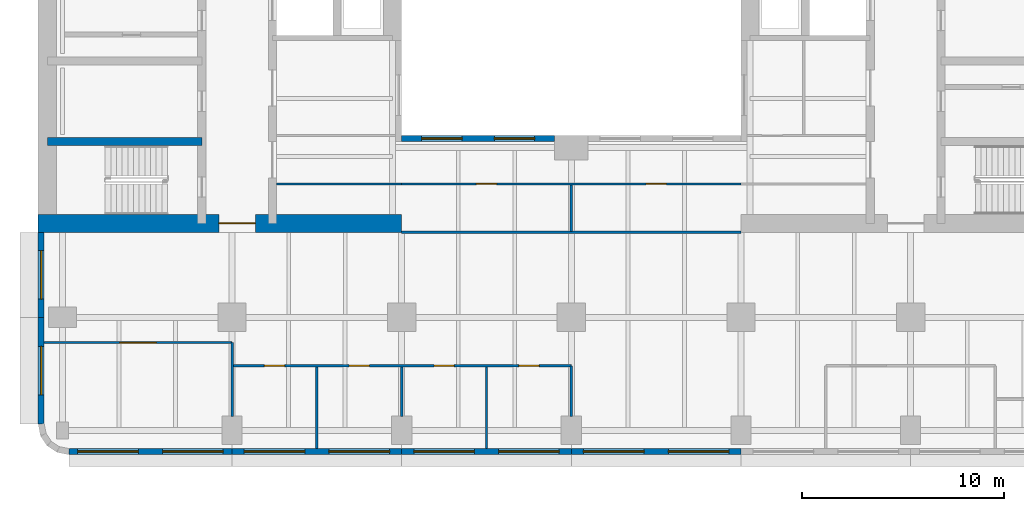
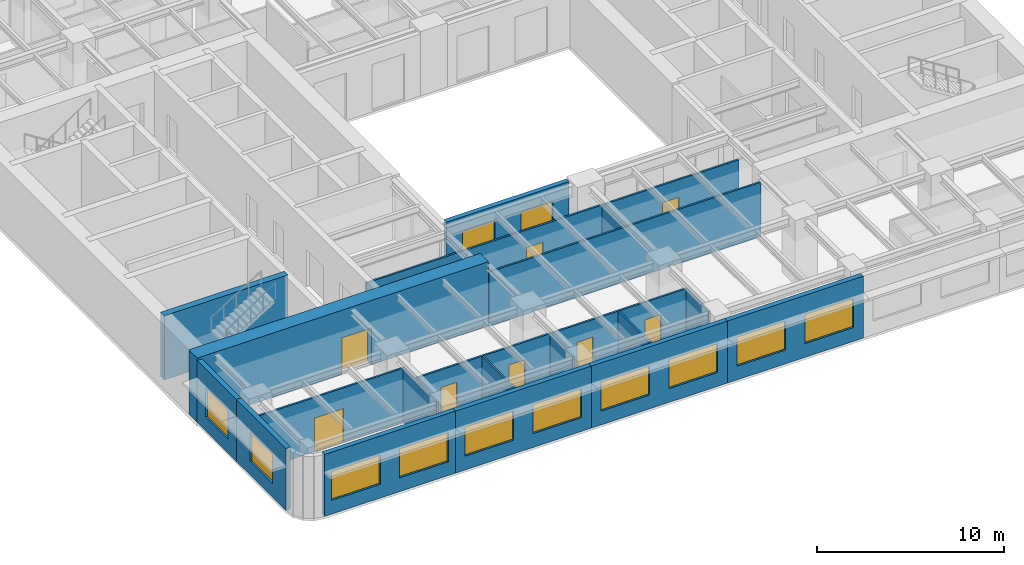
# One storey, part 3 of 11: 20 walls, 12 windows, 8 doors, 20 openings.
"""IFC4 building model written with IfcOpenShell, lengths in metres."""

from ifc_helpers import new_model, si_unit, direction, frame, frame_2d, origin, place, context, subcontext, project, spatial, rectangle, extrude, material, layer, layer_set, type_object, element, fill, save


model = new_model("IFC4")

# Units and contexts
model_context = context("Model", 3, precision=1e-05, world=origin(), true_north=direction((0.0, 1.0)))
body_context = subcontext(model_context, "Body", "Model", "MODEL_VIEW")
ifc_project = project(units=[si_unit("LENGTHUNIT", "METRE"), si_unit("AREAUNIT", "SQUARE_METRE"), si_unit("VOLUMEUNIT", "CUBIC_METRE"), si_unit("PLANEANGLEUNIT", "RADIAN"), si_unit("MASSUNIT", "GRAM", prefix="KILO")], contexts=[model_context])

# Site, building, storey
site_placement = place(None, origin())
site = spatial("IfcSite", under=ifc_project, at=site_placement, CompositionType="ELEMENT")
building_placement = place(site_placement, origin())
building = spatial("IfcBuilding", under=site, at=building_placement, Name="Claustro Exchange Tower", CompositionType="ELEMENT")
storey_placement = place(building_placement, frame((0.0, 0.0, 113.39990234375)))
storey = spatial("IfcBuildingStorey", under=building, at=storey_placement, Name="L25", CompositionType="ELEMENT", Elevation=113.39990234375)

# Wall, opening, door
ifc_material_1 = material(Name="Laminated glass in aluminium frame", Category="aluminium")
ifc_layer_1 = layer(ifc_material_1, 0.1201171875)
ifc_layer_set_1 = layer_set([ifc_layer_1], Name="Laminated glass in aluminium frame")
wall_type_1 = type_object("IfcWallType", Name="P2 120 glazed partition", PredefinedType="PARTITIONING", material=ifc_layer_set_1)
wall_1_placement = place(storey_placement, frame((-0.902099609375, 7.14990234375, 0.0), z_axis=(0.0, 0.0, 1.0), x_axis=(1.0, 0.0, 0.0)))
wall_1 = element("IfcWall", 1, at=wall_1_placement, inside=storey, type_object=wall_type_1, Name="Partition P2 L25", PredefinedType="PARTITIONING", context=body_context, shape_type="SweptSolid", body=[
    extrude(rectangle(XDim=9.302001953125, YDim=0.1201171875, at=frame_2d((4.65087890625, 0.0))), origin(), (0.0, 0.0, 1.0), 3.550048828125),
])
opening_1_placement = place(wall_1_placement, frame((3.751953125, 0.0, 0.0)))
opening_1 = element("IfcOpeningElement", 2, at=opening_1_placement, cuts=wall_1, Name="Opening D2", PredefinedType="OPENING", context=body_context, shape_type="SweptSolid", body=[
    extrude(rectangle(XDim=1.800048828125, YDim=2.199951171875, at=frame_2d((0.89990234375, 1.10009765625))), frame((0.0, 0.070068359375, 0.0), z_axis=(0.0, -1.0, 0.0), x_axis=(1.0, 0.0, 0.0)), (0.0, 0.0, 1.0), 0.14013671875),
])
ifc_material_2 = material(Name="Timber door, oak veneer", Category="wood")
door_type_1 = type_object("IfcDoorType", Name="D2 1800 x 2200 double door", OperationType="DOUBLE_DOOR_SINGLE_SWING", PredefinedType="DOOR", material=ifc_material_2)
door_1_placement = place(opening_1_placement, frame((1.800048828125, 0.0, 0.0), z_axis=(0.0, 0.0, 1.0), x_axis=(-1.0, 0.0, 0.0)))
door_1 = element("IfcDoor", 3, at=door_1_placement, inside=storey, type_object=door_type_1, Name="Double door D2 L25", OperationType="DOUBLE_DOOR_SINGLE_SWING", OverallHeight=2.199951171875, OverallWidth=1.800048828125, PredefinedType="DOOR", context=body_context, shape_type="SweptSolid", body=[
    extrude(rectangle(XDim=1.800048828125, YDim=2.199951171875, at=frame_2d((0.89990234375, 1.10009765625))), frame((0.0, 0.02490234375, 0.0), z_axis=(0.0, -1.0, 0.0), x_axis=(1.0, 0.0, 0.0)), (0.0, 0.0, 1.0), 0.050048828125),
])
fill(opening_1, door_1)

# Wall, openings, doors
wall_2_placement = place(storey_placement, frame((8.4580078125, 6.0, 0.0), z_axis=(0.0, 0.0, 1.0), x_axis=(1.0, 0.0, 0.0)))
wall_2 = element("IfcWall", 4, at=wall_2_placement, inside=storey, type_object=wall_type_1, Name="Partition P2 L25", PredefinedType="PARTITIONING", context=body_context, shape_type="SweptSolid", body=[
    extrude(rectangle(XDim=16.741943359375, YDim=0.1201171875, at=frame_2d((8.37109375, 0.0))), origin(), (0.0, 0.0, 1.0), 3.550048828125),
])
opening_2_placement = place(wall_2_placement, frame((1.5419921875, 0.0, 0.0)))
opening_2 = element("IfcOpeningElement", 5, at=opening_2_placement, cuts=wall_2, Name="Opening D7", PredefinedType="OPENING", context=body_context, shape_type="SweptSolid", body=[
    extrude(rectangle(XDim=1.0, YDim=2.39990234375, at=frame_2d((0.5, 1.199951171875))), frame((0.0, 0.070068359375, 0.0), z_axis=(0.0, -1.0, 0.0), x_axis=(1.0, 0.0, 0.0)), (0.0, 0.0, 1.0), 0.14013671875),
])
opening_3_placement = place(wall_2_placement, frame((5.741943359375, 0.0, 0.0)))
opening_3 = element("IfcOpeningElement", 6, at=opening_3_placement, cuts=wall_2, Name="Opening D7", PredefinedType="OPENING", context=body_context, shape_type="SweptSolid", body=[
    extrude(rectangle(XDim=1.0, YDim=2.39990234375, at=frame_2d((0.5, 1.199951171875))), frame((0.0, 0.070068359375, 0.0), z_axis=(0.0, -1.0, 0.0), x_axis=(1.0, 0.0, 0.0)), (0.0, 0.0, 1.0), 0.14013671875),
])
opening_4_placement = place(wall_2_placement, frame((9.94189453125, 0.0, 0.0)))
opening_4 = element("IfcOpeningElement", 7, at=opening_4_placement, cuts=wall_2, Name="Opening D7", PredefinedType="OPENING", context=body_context, shape_type="SweptSolid", body=[
    extrude(rectangle(XDim=1.0, YDim=2.39990234375, at=frame_2d((0.5, 1.199951171875))), frame((0.0, 0.070068359375, 0.0), z_axis=(0.0, -1.0, 0.0), x_axis=(1.0, 0.0, 0.0)), (0.0, 0.0, 1.0), 0.14013671875),
])
opening_5_placement = place(wall_2_placement, frame((14.14208984375, 0.0, 0.0)))
opening_5 = element("IfcOpeningElement", 8, at=opening_5_placement, cuts=wall_2, Name="Opening D7", PredefinedType="OPENING", context=body_context, shape_type="SweptSolid", body=[
    extrude(rectangle(XDim=1.0, YDim=2.39990234375, at=frame_2d((0.5, 1.199951171875))), frame((0.0, 0.070068359375, 0.0), z_axis=(0.0, -1.0, 0.0), x_axis=(1.0, 0.0, 0.0)), (0.0, 0.0, 1.0), 0.14013671875),
])
ifc_material_3 = material(Name="Glass door in aluminium frame", Category="aluminium")
door_type_2 = type_object("IfcDoorType", Name="D7 1000 x 2400 glazed door", OperationType="SINGLE_SWING_LEFT", PredefinedType="DOOR", material=ifc_material_3)
door_2_placement = place(opening_2_placement, frame((1.0, 0.0, 0.0), z_axis=(0.0, 0.0, 1.0), x_axis=(-1.0, 0.0, 0.0)))
door_2 = element("IfcDoor", 9, at=door_2_placement, inside=storey, type_object=door_type_2, Name="Door D7 L25", OperationType="SINGLE_SWING_LEFT", OverallHeight=2.39990234375, OverallWidth=1.0, PredefinedType="DOOR", context=body_context, shape_type="SweptSolid", body=[
    extrude(rectangle(XDim=1.0, YDim=2.39990234375, at=frame_2d((0.5, 1.199951171875))), frame((0.0, 0.02490234375, 0.0), z_axis=(0.0, -1.0, 0.0), x_axis=(1.0, 0.0, 0.0)), (0.0, 0.0, 1.0), 0.050048828125),
])
fill(opening_2, door_2)
door_3_placement = place(opening_3_placement, frame((1.0, 0.0, 0.0), z_axis=(0.0, 0.0, 1.0), x_axis=(-1.0, 0.0, 0.0)))
door_3 = element("IfcDoor", 10, at=door_3_placement, inside=storey, type_object=door_type_2, Name="Door D7 L25", OperationType="SINGLE_SWING_RIGHT", OverallHeight=2.39990234375, OverallWidth=1.0, PredefinedType="DOOR", context=body_context, shape_type="SweptSolid", body=[
    extrude(rectangle(XDim=1.0, YDim=2.39990234375, at=frame_2d((0.5, 1.199951171875))), frame((0.0, 0.02490234375, 0.0), z_axis=(0.0, -1.0, 0.0), x_axis=(1.0, 0.0, 0.0)), (0.0, 0.0, 1.0), 0.050048828125),
])
fill(opening_3, door_3)
door_4_placement = place(opening_4_placement, frame((1.0, 0.0, 0.0), z_axis=(0.0, 0.0, 1.0), x_axis=(-1.0, 0.0, 0.0)))
door_4 = element("IfcDoor", 11, at=door_4_placement, inside=storey, type_object=door_type_2, Name="Door D7 L25", OperationType="SINGLE_SWING_RIGHT", OverallHeight=2.39990234375, OverallWidth=1.0, PredefinedType="DOOR", context=body_context, shape_type="SweptSolid", body=[
    extrude(rectangle(XDim=1.0, YDim=2.39990234375, at=frame_2d((0.5, 1.199951171875))), frame((0.0, 0.02490234375, 0.0), z_axis=(0.0, -1.0, 0.0), x_axis=(1.0, 0.0, 0.0)), (0.0, 0.0, 1.0), 0.050048828125),
])
fill(opening_4, door_4)
door_5_placement = place(opening_5_placement, frame((1.0, 0.0, 0.0), z_axis=(0.0, 0.0, 1.0), x_axis=(-1.0, 0.0, 0.0)))
door_5 = element("IfcDoor", 12, at=door_5_placement, inside=storey, type_object=door_type_2, Name="Door D7 L25", OperationType="SINGLE_SWING_LEFT", OverallHeight=2.39990234375, OverallWidth=1.0, PredefinedType="DOOR", context=body_context, shape_type="SweptSolid", body=[
    extrude(rectangle(XDim=1.0, YDim=2.39990234375, at=frame_2d((0.5, 1.199951171875))), frame((0.0, 0.02490234375, 0.0), z_axis=(0.0, -1.0, 0.0), x_axis=(1.0, 0.0, 0.0)), (0.0, 0.0, 1.0), 0.050048828125),
])
fill(opening_5, door_5)

# Walls
wall_3_placement = place(storey_placement, frame((8.39990234375, 3.4990234375, 0.0), z_axis=(0.0, 0.0, 1.0), x_axis=(0.0, 1.0, 0.0)))
element("IfcWall", 13, at=wall_3_placement, inside=storey, type_object=wall_type_1, Name="Partition P2 L25", PredefinedType="PARTITIONING", context=body_context, shape_type="SweptSolid", body=[
    extrude(rectangle(XDim=3.65087890625, YDim=0.1201171875, at=frame_2d((1.825439453125, 0.0))), origin(), (0.0, 0.0, 1.0), 3.550048828125),
])
wall_4_placement = place(storey_placement, frame((12.60009765625, 1.89794921875, 0.0), z_axis=(0.0, 0.0, 1.0), x_axis=(0.0, 1.0, 0.0)))
element("IfcWall", 14, at=wall_4_placement, inside=storey, type_object=wall_type_1, Name="Partition P2 L25", PredefinedType="PARTITIONING", context=body_context, shape_type="SweptSolid", body=[
    extrude(rectangle(XDim=4.0439453125, YDim=0.1201171875, at=frame_2d((2.02197265625, 0.0))), origin(), (0.0, 0.0, 1.0), 3.56005859375),
])
wall_5_placement = place(storey_placement, frame((16.800048828125, 3.4990234375, 0.0), z_axis=(0.0, 0.0, 1.0), x_axis=(0.0, 1.0, 0.0)))
element("IfcWall", 15, at=wall_5_placement, inside=storey, type_object=wall_type_1, Name="Partition P2 L25", PredefinedType="PARTITIONING", context=body_context, shape_type="SweptSolid", body=[
    extrude(rectangle(XDim=2.44287109375, YDim=0.1201171875, at=frame_2d((1.221435546875, 0.0))), origin(), (0.0, 0.0, 1.0), 3.550048828125),
])
wall_6_placement = place(storey_placement, frame((21.0, 1.89794921875, 0.0), z_axis=(0.0, 0.0, 1.0), x_axis=(0.0, 1.0, 0.0)))
element("IfcWall", 16, at=wall_6_placement, inside=storey, type_object=wall_type_1, Name="Partition P2 L25", PredefinedType="PARTITIONING", context=body_context, shape_type="SweptSolid", body=[
    extrude(rectangle(XDim=4.0439453125, YDim=0.1201171875, at=frame_2d((2.02197265625, 0.0))), origin(), (0.0, 0.0, 1.0), 3.56005859375),
])
wall_7_placement = place(storey_placement, frame((25.199951171875, 3.4990234375, 0.0), z_axis=(0.0, 0.0, 1.0), x_axis=(0.0, 1.0, 0.0)))
element("IfcWall", 17, at=wall_7_placement, inside=storey, type_object=wall_type_1, Name="Partition P2 L25", PredefinedType="PARTITIONING", context=body_context, shape_type="SweptSolid", body=[
    extrude(rectangle(XDim=2.5009765625, YDim=0.1201171875, at=frame_2d((1.25048828125, 0.0))), origin(), (0.0, 0.0, 1.0), 3.550048828125),
])
wall_8_placement = place(storey_placement, frame((10.597900390625, 15.0, 0.0), z_axis=(0.0, 0.0, 1.0), x_axis=(1.0, 0.0, 0.0)))
element("IfcWall", 18, at=wall_8_placement, inside=storey, type_object=wall_type_1, Name="Partition P2 L25", PredefinedType="PARTITIONING", context=body_context, shape_type="SweptSolid", body=[
    extrude(rectangle(XDim=6.2041015625, YDim=0.1201171875, at=frame_2d((3.10205078125, 0.0))), origin(), (0.0, 0.0, 1.0), 3.550048828125),
])
wall_9_placement = place(storey_placement, frame((25.199951171875, 12.657958984375, 0.0), z_axis=(0.0, 0.0, 1.0), x_axis=(0.0, 1.0, 0.0)))
element("IfcWall", 19, at=wall_9_placement, inside=storey, type_object=wall_type_1, Name="Partition P2 L25", PredefinedType="PARTITIONING", context=body_context, shape_type="SweptSolid", body=[
    extrude(rectangle(XDim=2.283935546875, YDim=0.1201171875, at=frame_2d((1.14208984375, 0.0))), origin(), (0.0, 0.0, 1.0), 3.550048828125),
])

# Wall, openings, doors
wall_10_placement = place(storey_placement, frame((16.798095703125, 15.0, 0.0), z_axis=(0.0, 0.0, 1.0), x_axis=(1.0, 0.0, 0.0)))
wall_10 = element("IfcWall", 20, at=wall_10_placement, inside=storey, type_object=wall_type_1, Name="Partition P2 L25", PredefinedType="PARTITIONING", context=body_context, shape_type="SweptSolid", body=[
    extrude(rectangle(XDim=16.803955078125, YDim=0.1201171875, at=frame_2d((8.40185546875, 0.0))), origin(), (0.0, 0.0, 1.0), 3.550048828125),
])
opening_6_placement = place(wall_10_placement, frame((3.701904296875, 0.0, 0.0)))
opening_6 = element("IfcOpeningElement", 21, at=opening_6_placement, cuts=wall_10, Name="Opening D7", PredefinedType="OPENING", context=body_context, shape_type="SweptSolid", body=[
    extrude(rectangle(XDim=1.0, YDim=2.39990234375, at=frame_2d((0.5, 1.199951171875))), frame((0.0, 0.070068359375, 0.0), z_axis=(0.0, -1.0, 0.0), x_axis=(1.0, 0.0, 0.0)), (0.0, 0.0, 1.0), 0.14013671875),
])
opening_7_placement = place(wall_10_placement, frame((12.10205078125, 0.0, 0.0)))
opening_7 = element("IfcOpeningElement", 22, at=opening_7_placement, cuts=wall_10, Name="Opening D7", PredefinedType="OPENING", context=body_context, shape_type="SweptSolid", body=[
    extrude(rectangle(XDim=1.0, YDim=2.39990234375, at=frame_2d((0.5, 1.199951171875))), frame((0.0, 0.070068359375, 0.0), z_axis=(0.0, -1.0, 0.0), x_axis=(1.0, 0.0, 0.0)), (0.0, 0.0, 1.0), 0.14013671875),
])
door_6_placement = place(opening_6_placement, frame((1.0, 0.0, 0.0), z_axis=(0.0, 0.0, 1.0), x_axis=(-1.0, 0.0, 0.0)))
door_6 = element("IfcDoor", 23, at=door_6_placement, inside=storey, type_object=door_type_2, Name="Door D7 L25", OperationType="SINGLE_SWING_RIGHT", OverallHeight=2.39990234375, OverallWidth=1.0, PredefinedType="DOOR", context=body_context, shape_type="SweptSolid", body=[
    extrude(rectangle(XDim=1.0, YDim=2.39990234375, at=frame_2d((0.5, 1.199951171875))), frame((0.0, 0.02490234375, 0.0), z_axis=(0.0, -1.0, 0.0), x_axis=(1.0, 0.0, 0.0)), (0.0, 0.0, 1.0), 0.050048828125),
])
fill(opening_6, door_6)
door_7_placement = place(opening_7_placement, frame((1.0, 0.0, 0.0), z_axis=(0.0, 0.0, 1.0), x_axis=(-1.0, 0.0, 0.0)))
door_7 = element("IfcDoor", 24, at=door_7_placement, inside=storey, type_object=door_type_2, Name="Door D7 L25", OperationType="SINGLE_SWING_RIGHT", OverallHeight=2.39990234375, OverallWidth=1.0, PredefinedType="DOOR", context=body_context, shape_type="SweptSolid", body=[
    extrude(rectangle(XDim=1.0, YDim=2.39990234375, at=frame_2d((0.5, 1.199951171875))), frame((0.0, 0.02490234375, 0.0), z_axis=(0.0, -1.0, 0.0), x_axis=(1.0, 0.0, 0.0)), (0.0, 0.0, 1.0), 0.050048828125),
])
fill(opening_7, door_7)

# Wall
wall_11_placement = place(storey_placement, frame((16.800048828125, 12.60009765625, 0.0), z_axis=(0.0, 0.0, 1.0), x_axis=(1.0, 0.0, 0.0)))
element("IfcWall", 25, at=wall_11_placement, inside=storey, type_object=wall_type_1, Name="Partition P2 L25", PredefinedType="PARTITIONING", context=body_context, shape_type="SweptSolid", body=[
    extrude(rectangle(XDim=16.800048828125, YDim=0.1201171875, at=frame_2d((8.39990234375, 0.0))), origin(), (0.0, 0.0, 1.0), 3.550048828125),
])

# Wall, openings, windows
ifc_material_4 = material(Name="Concrete HA-40 (C40/50), precast, white cement, acid-etched", Category="concrete")
ifc_layer_2 = layer(ifc_material_4, 0.300048828125)
ifc_layer_set_2 = layer_set([ifc_layer_2], Name="Concrete HA-40 (C40/50), precast, white cement, acid-etched")
wall_type_2 = type_object("IfcWallType", Name="PC1 300 precast concrete pier panel", PredefinedType="SOLIDWALL", material=ifc_layer_set_2)
wall_12_placement = place(storey_placement, frame((33.60009765625, 1.75, 0.0), z_axis=(0.0, 0.0, 1.0), x_axis=(-1.0, 0.0, 0.0)))
wall_12 = element("IfcWall", 26, at=wall_12_placement, inside=storey, type_object=wall_type_2, Name="Precast pier panel PC1 L25", PredefinedType="SOLIDWALL", context=body_context, shape_type="SweptSolid", body=[
    extrude(rectangle(XDim=8.400146484375, YDim=0.300048828125, at=frame_2d((4.2001953125, 0.0))), origin(), (0.0, 0.0, 1.0), 4.050048828125),
])
opening_8_placement = place(wall_12_placement, frame((0.60009765625, 0.0, 0.89990234375)))
opening_8 = element("IfcOpeningElement", 27, at=opening_8_placement, cuts=wall_12, Name="Opening W1", PredefinedType="OPENING", context=body_context, shape_type="SweptSolid", body=[
    extrude(rectangle(XDim=3.0, YDim=1.89990234375, at=frame_2d((1.5, 0.949951171875))), frame((0.0, 0.159912109375, 0.0), z_axis=(0.0, -1.0, 0.0), x_axis=(1.0, 0.0, 0.0)), (0.0, 0.0, 1.0), 0.320068359375),
])
opening_9_placement = place(wall_12_placement, frame((4.800048828125, 0.0, 0.89990234375)))
opening_9 = element("IfcOpeningElement", 28, at=opening_9_placement, cuts=wall_12, Name="Opening W1", PredefinedType="OPENING", context=body_context, shape_type="SweptSolid", body=[
    extrude(rectangle(XDim=3.0, YDim=1.89990234375, at=frame_2d((1.5, 0.949951171875))), frame((0.0, 0.159912109375, 0.0), z_axis=(0.0, -1.0, 0.0), x_axis=(1.0, 0.0, 0.0)), (0.0, 0.0, 1.0), 0.320068359375),
])
ifc_material_5 = material(Name="Aluminium frame, clear double glazing", Category="aluminium")
window_type_1 = type_object("IfcWindowType", Name="W1 3000 x 1900 window", PartitioningType="SINGLE_PANEL", PredefinedType="WINDOW", material=ifc_material_5)
window_1_placement = place(opening_8_placement, origin())
window_1 = element("IfcWindow", 29, at=window_1_placement, inside=storey, type_object=window_type_1, Name="Window W1 L25", OverallHeight=1.89990234375, OverallWidth=3.0, PartitioningType="SINGLE_PANEL", PredefinedType="WINDOW", context=body_context, shape_type="SweptSolid", body=[
    extrude(rectangle(XDim=3.0, YDim=1.89990234375, at=frame_2d((1.5, 0.949951171875))), frame((0.0, 0.030029296875, 0.0), z_axis=(0.0, -1.0, 0.0), x_axis=(1.0, 0.0, 0.0)), (0.0, 0.0, 1.0), 0.06005859375),
])
fill(opening_8, window_1)
window_2_placement = place(opening_9_placement, origin())
window_2 = element("IfcWindow", 30, at=window_2_placement, inside=storey, type_object=window_type_1, Name="Window W1 L25", OverallHeight=1.89990234375, OverallWidth=3.0, PartitioningType="SINGLE_PANEL", PredefinedType="WINDOW", context=body_context, shape_type="SweptSolid", body=[
    extrude(rectangle(XDim=3.0, YDim=1.89990234375, at=frame_2d((1.5, 0.949951171875))), frame((0.0, 0.030029296875, 0.0), z_axis=(0.0, -1.0, 0.0), x_axis=(1.0, 0.0, 0.0)), (0.0, 0.0, 1.0), 0.06005859375),
])
fill(opening_9, window_2)

wall_13_placement = place(storey_placement, frame((25.199951171875, 1.75, 0.0), z_axis=(0.0, 0.0, 1.0), x_axis=(-1.0, 0.0, 0.0)))
wall_13 = element("IfcWall", 31, at=wall_13_placement, inside=storey, type_object=wall_type_2, Name="Precast pier panel PC1 L25", PredefinedType="SOLIDWALL", context=body_context, shape_type="SweptSolid", body=[
    extrude(rectangle(XDim=8.39990234375, YDim=0.300048828125, at=frame_2d((4.199951171875, 0.0))), origin(), (0.0, 0.0, 1.0), 4.050048828125),
])
opening_10_placement = place(wall_13_placement, frame((0.60009765625, 0.0, 0.89990234375)))
opening_10 = element("IfcOpeningElement", 32, at=opening_10_placement, cuts=wall_13, Name="Opening W1", PredefinedType="OPENING", context=body_context, shape_type="SweptSolid", body=[
    extrude(rectangle(XDim=3.0, YDim=1.89990234375, at=frame_2d((1.5, 0.949951171875))), frame((0.0, 0.159912109375, 0.0), z_axis=(0.0, -1.0, 0.0), x_axis=(1.0, 0.0, 0.0)), (0.0, 0.0, 1.0), 0.320068359375),
])
opening_11_placement = place(wall_13_placement, frame((4.800048828125, 0.0, 0.89990234375)))
opening_11 = element("IfcOpeningElement", 33, at=opening_11_placement, cuts=wall_13, Name="Opening W1", PredefinedType="OPENING", context=body_context, shape_type="SweptSolid", body=[
    extrude(rectangle(XDim=3.0, YDim=1.89990234375, at=frame_2d((1.5, 0.949951171875))), frame((0.0, 0.159912109375, 0.0), z_axis=(0.0, -1.0, 0.0), x_axis=(1.0, 0.0, 0.0)), (0.0, 0.0, 1.0), 0.320068359375),
])
window_3_placement = place(opening_10_placement, origin())
window_3 = element("IfcWindow", 34, at=window_3_placement, inside=storey, type_object=window_type_1, Name="Window W1 L25", OverallHeight=1.89990234375, OverallWidth=3.0, PartitioningType="SINGLE_PANEL", PredefinedType="WINDOW", context=body_context, shape_type="SweptSolid", body=[
    extrude(rectangle(XDim=3.0, YDim=1.89990234375, at=frame_2d((1.5, 0.949951171875))), frame((0.0, 0.030029296875, 0.0), z_axis=(0.0, -1.0, 0.0), x_axis=(1.0, 0.0, 0.0)), (0.0, 0.0, 1.0), 0.06005859375),
])
fill(opening_10, window_3)
window_4_placement = place(opening_11_placement, origin())
window_4 = element("IfcWindow", 35, at=window_4_placement, inside=storey, type_object=window_type_1, Name="Window W1 L25", OverallHeight=1.89990234375, OverallWidth=3.0, PartitioningType="SINGLE_PANEL", PredefinedType="WINDOW", context=body_context, shape_type="SweptSolid", body=[
    extrude(rectangle(XDim=3.0, YDim=1.89990234375, at=frame_2d((1.5, 0.949951171875))), frame((0.0, 0.030029296875, 0.0), z_axis=(0.0, -1.0, 0.0), x_axis=(1.0, 0.0, 0.0)), (0.0, 0.0, 1.0), 0.06005859375),
])
fill(opening_11, window_4)

wall_14_placement = place(storey_placement, frame((16.800048828125, 1.75, 0.0), z_axis=(0.0, 0.0, 1.0), x_axis=(-1.0, 0.0, 0.0)))
wall_14 = element("IfcWall", 36, at=wall_14_placement, inside=storey, type_object=wall_type_2, Name="Precast pier panel PC1 L25", PredefinedType="SOLIDWALL", context=body_context, shape_type="SweptSolid", body=[
    extrude(rectangle(XDim=8.400146484375, YDim=0.300048828125, at=frame_2d((4.2001953125, 0.0))), origin(), (0.0, 0.0, 1.0), 4.050048828125),
])
opening_12_placement = place(wall_14_placement, frame((0.60009765625, 0.0, 0.89990234375)))
opening_12 = element("IfcOpeningElement", 37, at=opening_12_placement, cuts=wall_14, Name="Opening W1", PredefinedType="OPENING", context=body_context, shape_type="SweptSolid", body=[
    extrude(rectangle(XDim=3.0, YDim=1.89990234375, at=frame_2d((1.5, 0.949951171875))), frame((0.0, 0.159912109375, 0.0), z_axis=(0.0, -1.0, 0.0), x_axis=(1.0, 0.0, 0.0)), (0.0, 0.0, 1.0), 0.320068359375),
])
opening_13_placement = place(wall_14_placement, frame((4.800048828125, 0.0, 0.89990234375)))
opening_13 = element("IfcOpeningElement", 38, at=opening_13_placement, cuts=wall_14, Name="Opening W1", PredefinedType="OPENING", context=body_context, shape_type="SweptSolid", body=[
    extrude(rectangle(XDim=3.0, YDim=1.89990234375, at=frame_2d((1.5, 0.949951171875))), frame((0.0, 0.159912109375, 0.0), z_axis=(0.0, -1.0, 0.0), x_axis=(1.0, 0.0, 0.0)), (0.0, 0.0, 1.0), 0.320068359375),
])
window_5_placement = place(opening_12_placement, origin())
window_5 = element("IfcWindow", 39, at=window_5_placement, inside=storey, type_object=window_type_1, Name="Window W1 L25", OverallHeight=1.89990234375, OverallWidth=3.0, PartitioningType="SINGLE_PANEL", PredefinedType="WINDOW", context=body_context, shape_type="SweptSolid", body=[
    extrude(rectangle(XDim=3.0, YDim=1.89990234375, at=frame_2d((1.5, 0.949951171875))), frame((0.0, 0.030029296875, 0.0), z_axis=(0.0, -1.0, 0.0), x_axis=(1.0, 0.0, 0.0)), (0.0, 0.0, 1.0), 0.06005859375),
])
fill(opening_12, window_5)
window_6_placement = place(opening_13_placement, origin())
window_6 = element("IfcWindow", 40, at=window_6_placement, inside=storey, type_object=window_type_1, Name="Window W1 L25", OverallHeight=1.89990234375, OverallWidth=3.0, PartitioningType="SINGLE_PANEL", PredefinedType="WINDOW", context=body_context, shape_type="SweptSolid", body=[
    extrude(rectangle(XDim=3.0, YDim=1.89990234375, at=frame_2d((1.5, 0.949951171875))), frame((0.0, 0.030029296875, 0.0), z_axis=(0.0, -1.0, 0.0), x_axis=(1.0, 0.0, 0.0)), (0.0, 0.0, 1.0), 0.06005859375),
])
fill(opening_13, window_6)

wall_15_placement = place(storey_placement, frame((8.39990234375, 1.75, 0.0), z_axis=(0.0, 0.0, 1.0), x_axis=(-1.0, 0.0, 0.0)))
wall_15 = element("IfcWall", 41, at=wall_15_placement, inside=storey, type_object=wall_type_2, Name="Precast pier panel PC1 L25", PredefinedType="SOLIDWALL", context=body_context, shape_type="SweptSolid", body=[
    extrude(rectangle(XDim=8.085205078125, YDim=0.300048828125, at=frame_2d((4.04248046875, 0.0))), origin(), (0.0, 0.0, 1.0), 4.050048828125),
])
opening_14_placement = place(wall_15_placement, frame((0.442626953125, 0.0, 0.89990234375)))
opening_14 = element("IfcOpeningElement", 42, at=opening_14_placement, cuts=wall_15, Name="Opening W1", PredefinedType="OPENING", context=body_context, shape_type="SweptSolid", body=[
    extrude(rectangle(XDim=3.0, YDim=1.89990234375, at=frame_2d((1.5, 0.949951171875))), frame((0.0, 0.159912109375, 0.0), z_axis=(0.0, -1.0, 0.0), x_axis=(1.0, 0.0, 0.0)), (0.0, 0.0, 1.0), 0.320068359375),
])
opening_15_placement = place(wall_15_placement, frame((4.642578125, 0.0, 0.89990234375)))
opening_15 = element("IfcOpeningElement", 43, at=opening_15_placement, cuts=wall_15, Name="Opening W1", PredefinedType="OPENING", context=body_context, shape_type="SweptSolid", body=[
    extrude(rectangle(XDim=3.0, YDim=1.89990234375, at=frame_2d((1.5, 0.949951171875))), frame((0.0, 0.159912109375, 0.0), z_axis=(0.0, -1.0, 0.0), x_axis=(1.0, 0.0, 0.0)), (0.0, 0.0, 1.0), 0.320068359375),
])
window_7_placement = place(opening_14_placement, origin())
window_7 = element("IfcWindow", 44, at=window_7_placement, inside=storey, type_object=window_type_1, Name="Window W1 L25", OverallHeight=1.89990234375, OverallWidth=3.0, PartitioningType="SINGLE_PANEL", PredefinedType="WINDOW", context=body_context, shape_type="SweptSolid", body=[
    extrude(rectangle(XDim=3.0, YDim=1.89990234375, at=frame_2d((1.5, 0.949951171875))), frame((0.0, 0.030029296875, 0.0), z_axis=(0.0, -1.0, 0.0), x_axis=(1.0, 0.0, 0.0)), (0.0, 0.0, 1.0), 0.06005859375),
])
fill(opening_14, window_7)
window_8_placement = place(opening_15_placement, origin())
window_8 = element("IfcWindow", 45, at=window_8_placement, inside=storey, type_object=window_type_1, Name="Window W1 L25", OverallHeight=1.89990234375, OverallWidth=3.0, PartitioningType="SINGLE_PANEL", PredefinedType="WINDOW", context=body_context, shape_type="SweptSolid", body=[
    extrude(rectangle(XDim=3.0, YDim=1.89990234375, at=frame_2d((1.5, 0.949951171875))), frame((0.0, 0.030029296875, 0.0), z_axis=(0.0, -1.0, 0.0), x_axis=(1.0, 0.0, 0.0)), (0.0, 0.0, 1.0), 0.06005859375),
])
fill(opening_15, window_8)

# Wall, opening, window
wall_16_placement = place(storey_placement, frame((-1.050048828125, 3.11474609375, 0.0), z_axis=(0.0, 0.0, 1.0), x_axis=(0.0, 1.0, 0.0)))
wall_16 = element("IfcWall", 46, at=wall_16_placement, inside=storey, type_object=wall_type_2, Name="Precast pier panel PC1 L25", PredefinedType="SOLIDWALL", context=body_context, shape_type="SweptSolid", body=[
    extrude(rectangle(XDim=5.28515625, YDim=0.300048828125, at=frame_2d((2.642578125, 0.0))), origin(), (0.0, 0.0, 1.0), 4.050048828125),
])
opening_16_placement = place(wall_16_placement, frame((1.442626953125, 0.0, 0.89990234375)))
opening_16 = element("IfcOpeningElement", 47, at=opening_16_placement, cuts=wall_16, Name="Opening W2", PredefinedType="OPENING", context=body_context, shape_type="SweptSolid", body=[
    extrude(rectangle(XDim=2.39990234375, YDim=1.89990234375, at=frame_2d((1.199951171875, 0.949951171875))), frame((0.0, 0.159912109375, 0.0), z_axis=(0.0, -1.0, 0.0), x_axis=(1.0, 0.0, 0.0)), (0.0, 0.0, 1.0), 0.320068359375),
])
ifc_material_6 = material(Name="Aluminium frame, clear double glazing", Category="aluminium")
window_type_2 = type_object("IfcWindowType", Name="W2 2400 x 1900 window", PartitioningType="SINGLE_PANEL", PredefinedType="WINDOW", material=ifc_material_6)
window_9_placement = place(opening_16_placement, origin())
window_9 = element("IfcWindow", 48, at=window_9_placement, inside=storey, type_object=window_type_2, Name="Window W2 L25", OverallHeight=1.89990234375, OverallWidth=2.39990234375, PartitioningType="SINGLE_PANEL", PredefinedType="WINDOW", context=body_context, shape_type="SweptSolid", body=[
    extrude(rectangle(XDim=2.39990234375, YDim=1.89990234375, at=frame_2d((1.199951171875, 0.949951171875))), frame((0.0, 0.030029296875, 0.0), z_axis=(0.0, -1.0, 0.0), x_axis=(1.0, 0.0, 0.0)), (0.0, 0.0, 1.0), 0.06005859375),
])
fill(opening_16, window_9)

wall_17_placement = place(storey_placement, frame((-1.050048828125, 8.39990234375, 0.0), z_axis=(0.0, 0.0, 1.0), x_axis=(0.0, 1.0, 0.0)))
wall_17 = element("IfcWall", 49, at=wall_17_placement, inside=storey, type_object=wall_type_2, Name="Precast pier panel PC1 L25", PredefinedType="SOLIDWALL", context=body_context, shape_type="SweptSolid", body=[
    extrude(rectangle(XDim=4.2001953125, YDim=0.300048828125, at=frame_2d((2.10009765625, 0.0))), origin(), (0.0, 0.0, 1.0), 4.050048828125),
])
opening_17_placement = place(wall_17_placement, frame((0.89990234375, 0.0, 0.89990234375)))
opening_17 = element("IfcOpeningElement", 50, at=opening_17_placement, cuts=wall_17, Name="Opening W2", PredefinedType="OPENING", context=body_context, shape_type="SweptSolid", body=[
    extrude(rectangle(XDim=2.39990234375, YDim=1.89990234375, at=frame_2d((1.199951171875, 0.949951171875))), frame((0.0, 0.159912109375, 0.0), z_axis=(0.0, -1.0, 0.0), x_axis=(1.0, 0.0, 0.0)), (0.0, 0.0, 1.0), 0.320068359375),
])
window_10_placement = place(opening_17_placement, origin())
window_10 = element("IfcWindow", 51, at=window_10_placement, inside=storey, type_object=window_type_2, Name="Window W2 L25", OverallHeight=1.89990234375, OverallWidth=2.39990234375, PartitioningType="SINGLE_PANEL", PredefinedType="WINDOW", context=body_context, shape_type="SweptSolid", body=[
    extrude(rectangle(XDim=2.39990234375, YDim=1.89990234375, at=frame_2d((1.199951171875, 0.949951171875))), frame((0.0, 0.030029296875, 0.0), z_axis=(0.0, -1.0, 0.0), x_axis=(1.0, 0.0, 0.0)), (0.0, 0.0, 1.0), 0.06005859375),
])
fill(opening_17, window_10)

# Wall, openings, windows
wall_18_placement = place(storey_placement, frame((16.800048828125, 17.25, 0.0), z_axis=(0.0, 0.0, 1.0), x_axis=(1.0, 0.0, 0.0)))
wall_18 = element("IfcWall", 52, at=wall_18_placement, inside=storey, type_object=wall_type_2, Name="Precast pier panel PC1 L25", PredefinedType="SOLIDWALL", context=body_context, shape_type="SweptSolid", body=[
    extrude(rectangle(XDim=7.574951171875, YDim=0.300048828125, at=frame_2d((3.78759765625, 0.0))), origin(), (0.0, 0.0, 1.0), 4.050048828125),
])
opening_18_placement = place(wall_18_placement, frame((0.987548828125, 0.0, 0.10009765625)))
opening_18 = element("IfcOpeningElement", 53, at=opening_18_placement, cuts=wall_18, Name="Opening W-A", PredefinedType="OPENING", context=body_context, shape_type="SweptSolid", body=[
    extrude(rectangle(XDim=2.0, YDim=3.0, at=frame_2d((1.0, 1.5))), frame((0.0, 0.159912109375, 0.0), z_axis=(0.0, -1.0, 0.0), x_axis=(1.0, 0.0, 0.0)), (0.0, 0.0, 1.0), 0.320068359375),
])
opening_19_placement = place(wall_18_placement, frame((4.58740234375, 0.0, 0.10009765625)))
opening_19 = element("IfcOpeningElement", 54, at=opening_19_placement, cuts=wall_18, Name="Opening W-A", PredefinedType="OPENING", context=body_context, shape_type="SweptSolid", body=[
    extrude(rectangle(XDim=2.0, YDim=3.0, at=frame_2d((1.0, 1.5))), frame((0.0, 0.159912109375, 0.0), z_axis=(0.0, -1.0, 0.0), x_axis=(1.0, 0.0, 0.0)), (0.0, 0.0, 1.0), 0.320068359375),
])
ifc_material_7 = material(Name="Aluminium frame, clear double glazing", Category="aluminium")
window_type_3 = type_object("IfcWindowType", Name="W-A 2000 x 3000 arcade window", PartitioningType="SINGLE_PANEL", PredefinedType="WINDOW", material=ifc_material_7)
window_11_placement = place(opening_18_placement, origin())
window_11 = element("IfcWindow", 55, at=window_11_placement, inside=storey, type_object=window_type_3, Name="Window W-A L25", OverallHeight=3.0, OverallWidth=2.0, PartitioningType="SINGLE_PANEL", PredefinedType="WINDOW", context=body_context, shape_type="SweptSolid", body=[
    extrude(rectangle(XDim=2.0, YDim=3.0, at=frame_2d((1.0, 1.5))), frame((0.0, 0.030029296875, 0.0), z_axis=(0.0, -1.0, 0.0), x_axis=(1.0, 0.0, 0.0)), (0.0, 0.0, 1.0), 0.06005859375),
])
fill(opening_18, window_11)
window_12_placement = place(opening_19_placement, origin())
window_12 = element("IfcWindow", 56, at=window_12_placement, inside=storey, type_object=window_type_3, Name="Window W-A L25", OverallHeight=3.0, OverallWidth=2.0, PartitioningType="SINGLE_PANEL", PredefinedType="WINDOW", context=body_context, shape_type="SweptSolid", body=[
    extrude(rectangle(XDim=2.0, YDim=3.0, at=frame_2d((1.0, 1.5))), frame((0.0, 0.030029296875, 0.0), z_axis=(0.0, -1.0, 0.0), x_axis=(1.0, 0.0, 0.0)), (0.0, 0.0, 1.0), 0.06005859375),
])
fill(opening_19, window_12)

# Wall, opening, door
ifc_material_8 = material(Name="Concrete HA-70 (C70/85)", Category="concrete")
ifc_layer_3 = layer(ifc_material_8, 0.89990234375)
ifc_layer_set_3 = layer_set([ifc_layer_3], Name="Concrete HA-70 (C70/85)")
wall_type_3 = type_object("IfcWallType", Name="SW1 900 core shear wall", PredefinedType="SHEAR", material=ifc_layer_set_3)
wall_19_placement = place(storey_placement, frame((-1.199951171875, 13.050048828125, 0.0), z_axis=(0.0, 0.0, 1.0), x_axis=(1.0, 0.0, 0.0)))
wall_19 = element("IfcWall", 57, at=wall_19_placement, inside=storey, type_object=wall_type_3, Name="Core wall SW1 W core S face L25", PredefinedType="SHEAR", context=body_context, shape_type="SweptSolid", body=[
    extrude(rectangle(XDim=18.0, YDim=0.89990234375, at=frame_2d((9.0, 0.0))), origin(), (0.0, 0.0, 1.0), 4.2001953125),
])
opening_20_placement = place(wall_19_placement, frame((8.949951171875, 0.0, 0.0)))
opening_20 = element("IfcOpeningElement", 58, at=opening_20_placement, cuts=wall_19, Name="Opening D3", PredefinedType="OPENING", context=body_context, shape_type="SweptSolid", body=[
    extrude(rectangle(XDim=1.800048828125, YDim=2.39990234375, at=frame_2d((0.89990234375, 1.199951171875))), frame((0.0, 0.4599609375, 0.0), z_axis=(0.0, -1.0, 0.0), x_axis=(1.0, 0.0, 0.0)), (0.0, 0.0, 1.0), 0.919921875),
])
ifc_material_9 = material(Name="Steel fire door, painted", Category="steel")
door_type_3 = type_object("IfcDoorType", Name="D3 1800 x 2400 fire-rated lobby double door", OperationType="DOUBLE_DOOR_SINGLE_SWING", PredefinedType="DOOR", material=ifc_material_9)
door_8_placement = place(opening_20_placement, frame((1.800048828125, 0.0, 0.0), z_axis=(0.0, 0.0, 1.0), x_axis=(-1.0, 0.0, 0.0)))
door_8 = element("IfcDoor", 59, at=door_8_placement, inside=storey, type_object=door_type_3, Name="Lift lobby door D3 L25", OperationType="DOUBLE_DOOR_SINGLE_SWING", OverallHeight=2.39990234375, OverallWidth=1.800048828125, PredefinedType="DOOR", context=body_context, shape_type="SweptSolid", body=[
    extrude(rectangle(XDim=1.800048828125, YDim=2.39990234375, at=frame_2d((0.89990234375, 1.199951171875))), frame((0.0, 0.02490234375, 0.0), z_axis=(0.0, -1.0, 0.0), x_axis=(1.0, 0.0, 0.0)), (0.0, 0.0, 1.0), 0.050048828125),
])
fill(opening_20, door_8)

# Wall
ifc_material_10 = material(Name="Concrete HA-50 (C50/60)", Category="concrete")
ifc_layer_4 = layer(ifc_material_10, 0.39990234375)
ifc_layer_set_4 = layer_set([ifc_layer_4], Name="Concrete HA-50 (C50/60)")
wall_type_4 = type_object("IfcWallType", Name="SW4 400 internal core wall", PredefinedType="SHEAR", material=ifc_layer_set_4)
wall_20_placement = place(storey_placement, frame((-0.75, 17.10009765625, 0.0), z_axis=(0.0, 0.0, 1.0), x_axis=(1.0, 0.0, 0.0)))
element("IfcWall", 60, at=wall_20_placement, inside=storey, type_object=wall_type_4, Name="Internal core wall SW4 W core L25", PredefinedType="SHEAR", context=body_context, shape_type="SweptSolid", body=[
    extrude(rectangle(XDim=7.64990234375, YDim=0.39990234375, at=frame_2d((3.824951171875, 0.0))), origin(), (0.0, 0.0, 1.0), 4.2001953125),
])

save(model, "model.ifc")
